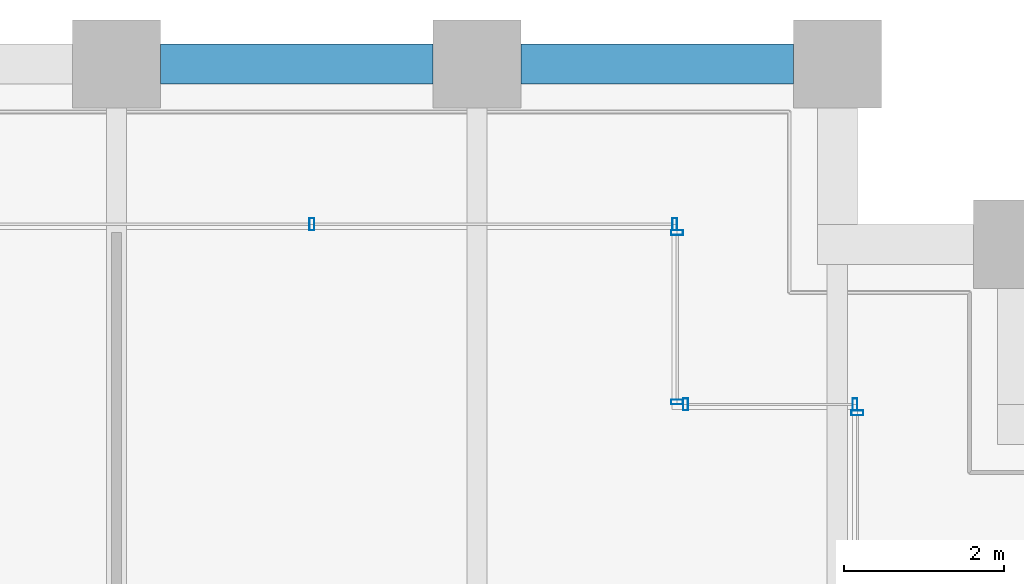
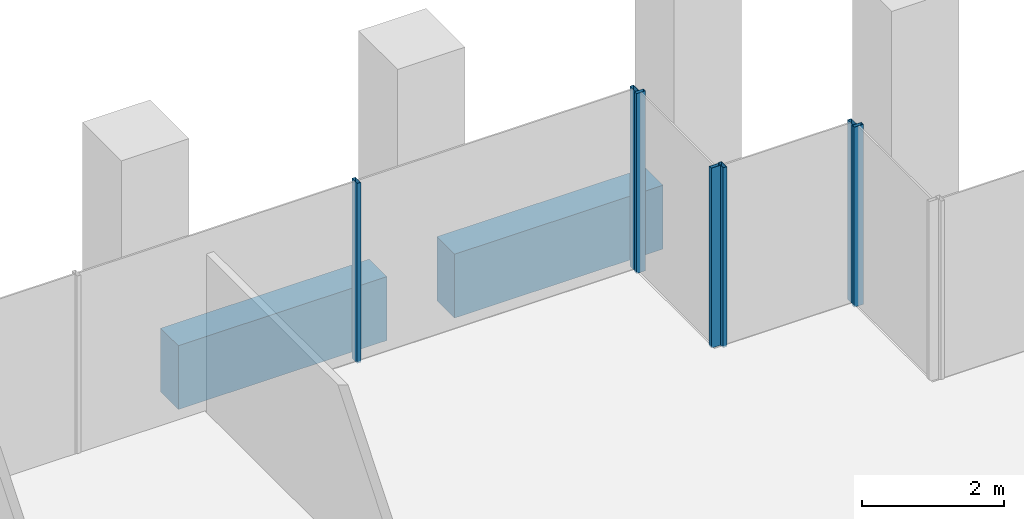
# One storey, part 32 of 56: 7 members, 2 beams, 4 elements without a shape of their own.
"""IFC4 building model written with IfcOpenShell, lengths in metres."""

from ifc_helpers import new_model, si_unit, direction, frame, origin, origin_2d, place, context, subcontext, project, spatial, rectangle, hollow_rectangle, extrude, material, material_profile, profile_set, type_object, element, aggregate, save


model = new_model("IFC4")

# Units and contexts
model_context = context("Model", 3, precision=1e-05, world=origin(), true_north=direction((0.0, 1.0)))
body_context = subcontext(model_context, "Body", "Model", "MODEL_VIEW")
ifc_project = project(units=[si_unit("LENGTHUNIT", "METRE"), si_unit("AREAUNIT", "SQUARE_METRE"), si_unit("VOLUMEUNIT", "CUBIC_METRE"), si_unit("PLANEANGLEUNIT", "RADIAN"), si_unit("MASSUNIT", "GRAM", prefix="KILO")], contexts=[model_context])

# Site, building, storey
site_placement = place(None, origin())
site = spatial("IfcSite", under=ifc_project, at=site_placement, CompositionType="ELEMENT")
building_placement = place(site_placement, origin())
building = spatial("IfcBuilding", under=site, at=building_placement, Name="Altepetl Exchange Towers", CompositionType="ELEMENT")
storey_placement = place(building_placement, frame((0.0, 0.0, 54.60009765625)))
storey = spatial("IfcBuildingStorey", under=building, at=storey_placement, Name="L12", CompositionType="ELEMENT", Elevation=54.60009765625)

# Curtain wall, member
ifc_material_1 = material(Name="Aluminium 6063-T6 glazing", Category="aluminium")
curtain_wall_type = type_object("IfcCurtainWallType", Name="Loggia glazing system", PredefinedType="NOTDEFINED", material=ifc_material_1)
curtain_wall_1_placement = place(storey_placement, origin())
curtain_wall_1 = element("IfcCurtainWall", 1, at=curtain_wall_1_placement, inside=storey, type_object=curtain_wall_type, Name="CW1 run", PredefinedType="NOTDEFINED")
ifc_material_2 = material(Name="Aluminium 6063-T6", Category="aluminium")
ifc_material_profile_1 = material_profile(ifc_material_2, hollow_rectangle(XDim=0.06005859375, YDim=0.14990234375, WallThickness=0.0029296875, at=origin_2d()), Name="Mullion 60x150 aluminium")
ifc_profile_set_1 = profile_set([ifc_material_profile_1], Name="Aluminium 6063-T6")
member_type = type_object("IfcMemberType", Name="Mullion 60x150 aluminium", PredefinedType="MULLION", material=ifc_profile_set_1)
member_1_placement = place(storey_placement, frame((67.75, 67.64501953125, 0.0), z_axis=(0.0, 0.0, 1.0), x_axis=(0.0, 1.0, 0.0)))
member_1 = element("IfcMember", 2, at=member_1_placement, type_object=member_type, Name="MU1 mullion", PredefinedType="MULLION", context=body_context, shape_type="SweptSolid", body=[
    extrude(hollow_rectangle(XDim=0.06005859375, YDim=0.14990234375, WallThickness=0.0029296875, at=origin_2d()), origin(), (0.0, 0.0, 1.0), 3.099853515625),
])
aggregate(curtain_wall_1, [member_1])

# Curtain wall, members
curtain_wall_2_placement = place(storey_placement, origin())
curtain_wall_2 = element("IfcCurtainWall", 3, at=curtain_wall_2_placement, inside=storey, type_object=curtain_wall_type, Name="CW1 run", PredefinedType="NOTDEFINED")
member_2_placement = place(storey_placement, frame((67.719970703125, 67.75, 0.0), z_axis=(0.0, 0.0, 1.0), x_axis=(-1.0, 0.0, 0.0)))
member_2 = element("IfcMember", 4, at=member_2_placement, type_object=member_type, Name="MU1 mullion", PredefinedType="MULLION", context=body_context, shape_type="SweptSolid", body=[
    extrude(hollow_rectangle(XDim=0.06005859375, YDim=0.14990234375, WallThickness=0.0029296875, at=origin_2d()), origin(), (0.0, 0.0, 1.0), 3.099853515625),
])
member_3_placement = place(storey_placement, frame((65.60498046875, 67.75, 0.0), z_axis=(0.0, 0.0, 1.0), x_axis=(-1.0, 0.0, 0.0)))
member_3 = element("IfcMember", 5, at=member_3_placement, type_object=member_type, Name="MU1 mullion", PredefinedType="MULLION", context=body_context, shape_type="SweptSolid", body=[
    extrude(hollow_rectangle(XDim=0.06005859375, YDim=0.14990234375, WallThickness=0.0029296875, at=origin_2d()), origin(), (0.0, 0.0, 1.0), 3.099853515625),
])
aggregate(curtain_wall_2, [member_2, member_3])

curtain_wall_3_placement = place(storey_placement, origin())
curtain_wall_3 = element("IfcCurtainWall", 6, at=curtain_wall_3_placement, inside=storey, type_object=curtain_wall_type, Name="CW1 run", PredefinedType="NOTDEFINED")
member_4_placement = place(storey_placement, frame((65.5, 67.780029296875, 0.0), z_axis=(0.0, 0.0, 1.0), x_axis=(0.0, 1.0, 0.0)))
member_4 = element("IfcMember", 7, at=member_4_placement, type_object=member_type, Name="MU1 mullion", PredefinedType="MULLION", context=body_context, shape_type="SweptSolid", body=[
    extrude(hollow_rectangle(XDim=0.06005859375, YDim=0.14990234375, WallThickness=0.0029296875, at=origin_2d()), origin(), (0.0, 0.0, 1.0), 3.099853515625),
])
member_5_placement = place(storey_placement, frame((65.5, 69.89501953125, 0.0), z_axis=(0.0, 0.0, 1.0), x_axis=(0.0, 1.0, 0.0)))
member_5 = element("IfcMember", 8, at=member_5_placement, type_object=member_type, Name="MU1 mullion", PredefinedType="MULLION", context=body_context, shape_type="SweptSolid", body=[
    extrude(hollow_rectangle(XDim=0.06005859375, YDim=0.14990234375, WallThickness=0.0029296875, at=origin_2d()), origin(), (0.0, 0.0, 1.0), 3.099853515625),
])
aggregate(curtain_wall_3, [member_4, member_5])

curtain_wall_4_placement = place(storey_placement, origin())
curtain_wall_4 = element("IfcCurtainWall", 9, at=curtain_wall_4_placement, inside=storey, type_object=curtain_wall_type, Name="CW1 run", PredefinedType="NOTDEFINED")
member_6_placement = place(storey_placement, frame((65.469970703125, 70.0, 0.0), z_axis=(0.0, 0.0, 1.0), x_axis=(-1.0, 0.0, 0.0)))
member_6 = element("IfcMember", 10, at=member_6_placement, type_object=member_type, Name="MU1 mullion", PredefinedType="MULLION", context=body_context, shape_type="SweptSolid", body=[
    extrude(hollow_rectangle(XDim=0.06005859375, YDim=0.14990234375, WallThickness=0.0029296875, at=origin_2d()), origin(), (0.0, 0.0, 1.0), 3.099853515625),
])
member_7_placement = place(storey_placement, frame((60.939208984375, 70.0, 0.0), z_axis=(0.0, 0.0, 1.0), x_axis=(-1.0, 0.0, 0.0)))
member_7 = element("IfcMember", 11, at=member_7_placement, type_object=member_type, Name="MU1 mullion", PredefinedType="MULLION", context=body_context, shape_type="SweptSolid", body=[
    extrude(hollow_rectangle(XDim=0.06005859375, YDim=0.14990234375, WallThickness=0.0029296875, at=origin_2d()), origin(), (0.0, 0.0, 1.0), 3.099853515625),
])
aggregate(curtain_wall_4, [member_6, member_7])

# Beams
ifc_material_3 = material(Name="Concrete C50/60 precast with cantera rosa facing", Category="concrete")
ifc_material_profile_2 = material_profile(ifc_material_3, rectangle(XDim=0.5, YDim=1.10009765625, at=origin_2d()), Name="500 x 1100")
ifc_profile_set_2 = profile_set([ifc_material_profile_2], Name="Concrete C50/60 precast with cantera rosa facing")
beam_type = type_object("IfcBeamType", Name="Spandrel beam 500x1100 cantera rosa", PredefinedType="SPANDREL", material=ifc_profile_set_2)
for number, where, z_axis, x_axis, name in (
    (12, (66.949951171875, 72.0, -0.7001953125), (-1.0, 0.0, 0.0), (0.0, -1.0, 0.0), "sp:A:L12:024"),
    (13, (62.449951171875, 72.0, -0.7001953125), (-1.0, 0.0, 0.0), (0.0, -1.0, 0.0), "sp:A:L12:025"),
):
    element("IfcBeam", number, at=place(storey_placement, frame(where, z_axis=z_axis, x_axis=x_axis)), inside=storey, type_object=beam_type, Name=name, PredefinedType="SPANDREL", context=body_context, shape_type="SweptSolid", body=[
        extrude(rectangle(XDim=0.5, YDim=1.10009765625, at=origin_2d()), origin(), (0.0, 0.0, 1.0), 3.39990234375),
    ])

save(model, "model.ifc")
